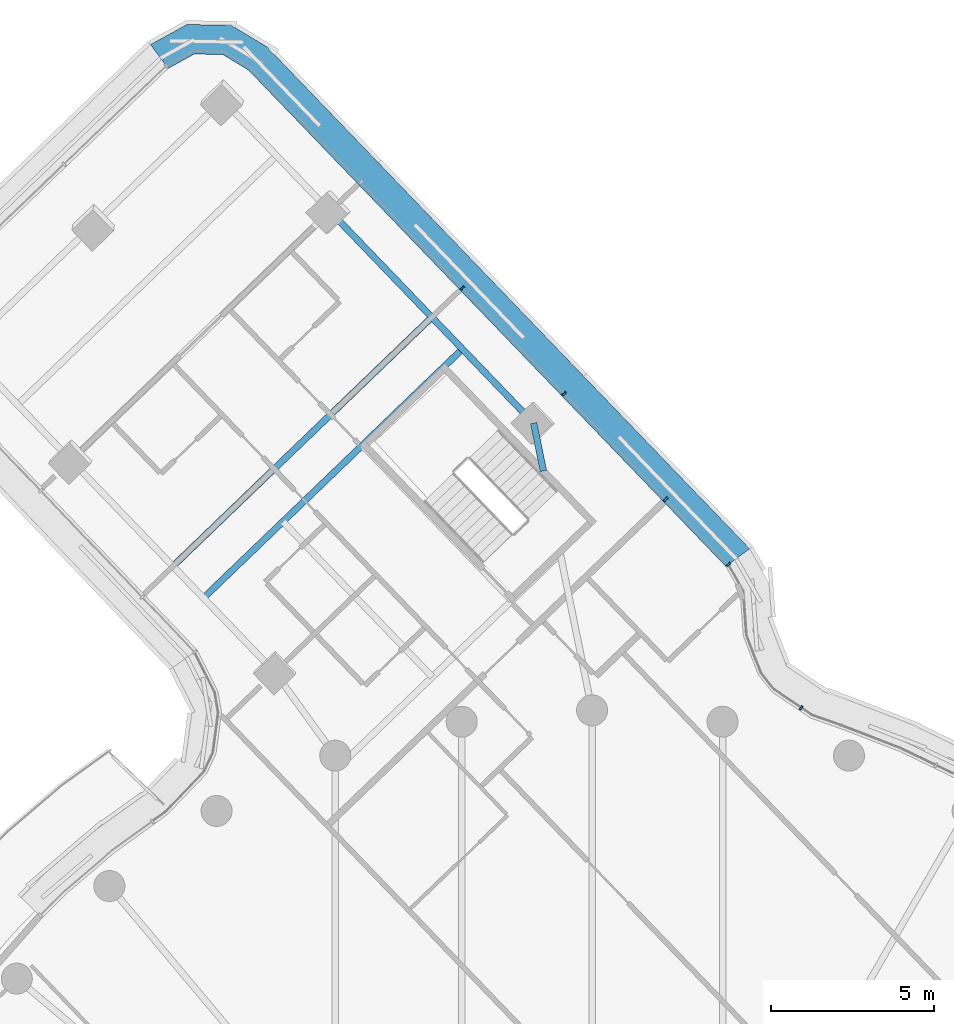
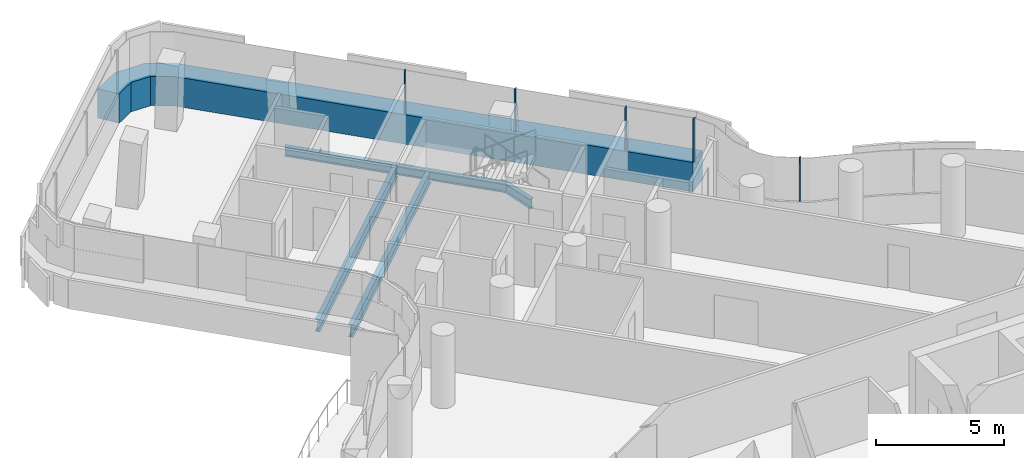
# One storey, part 16 of 34: 6 members, 4 beams, 2 elements without a shape of their own.
"""IFC4 building model written with IfcOpenShell, lengths in metres."""

from ifc_helpers import new_model, si_unit, direction, frame, origin, origin_2d, place, context, subcontext, project, spatial, polyline, rectangle, i_section, outline, extrude, material, layer, layer_set, material_profile, profile_set, type_object, element, aggregate, save


model = new_model("IFC4")

# Units and contexts
model_context = context("Model", 3, precision=1e-05, world=origin(), true_north=direction((0.0, 1.0)))
body_context = subcontext(model_context, "Body", "Model", "MODEL_VIEW")
ifc_project = project(units=[si_unit("LENGTHUNIT", "METRE"), si_unit("AREAUNIT", "SQUARE_METRE"), si_unit("VOLUMEUNIT", "CUBIC_METRE"), si_unit("PLANEANGLEUNIT", "RADIAN"), si_unit("MASSUNIT", "GRAM", prefix="KILO")], contexts=[model_context])

# Site, building, storey
site_placement = place(None, origin())
site = spatial("IfcSite", under=ifc_project, at=site_placement, CompositionType="ELEMENT")
building_placement = place(site_placement, origin())
building = spatial("IfcBuilding", under=site, at=building_placement, Name="Tamarind Cross Interchange Tower", CompositionType="ELEMENT")
storey_placement = place(building_placement, frame((0.0, 0.0, 193.300048828125)))
storey = spatial("IfcBuildingStorey", under=building, at=storey_placement, Name="L48", CompositionType="ELEMENT", Elevation=193.300048828125)

# Beams
ifc_material_1 = material(Name="Steel Q355B", Category="steel")
ifc_material_profile_1 = material_profile(ifc_material_1, i_section(OverallWidth=0.198974609375, OverallDepth=0.446044921875, WebThickness=0.008056640625, FlangeThickness=0.011962890625, FilletRadius=0.012939453125, at=origin_2d()), Name="HN 446x199x8x12")
ifc_profile_set_1 = profile_set([ifc_material_profile_1], Name="Steel Q355B")
beam_type_1 = type_object("IfcBeamType", Name="Composite beam HN 446x199x8x12 Q355B", PredefinedType="BEAM", material=ifc_profile_set_1)
beam_1_placement = place(storey_placement, frame((-8.027587890625, 38.28173828125, -0.363037109375), z_axis=(0.69317810497, -0.720766338553, 0.0), x_axis=(0.720766338553, 0.69317810497, 0.0)))
element("IfcBeam", 1, at=beam_1_placement, inside=storey, type_object=beam_type_1, Name="Beam N-edgeem6", PredefinedType="BEAM", context=body_context, shape_type="SweptSolid", body=[
    extrude(i_section(OverallWidth=0.198974609375, OverallDepth=0.446044921875, WebThickness=0.008056640625, FlangeThickness=0.011962890625, FilletRadius=0.012939453125, at=origin_2d()), origin(), (0.0, 0.0, 1.0), 9.0),
])
beam_2_placement = place(storey_placement, frame((-1.7890625, 31.794921875, -0.363037109375), z_axis=(0.199383629707, -0.979921511247, 0.0), x_axis=(0.979921511247, 0.199383629707, 0.0)))
element("IfcBeam", 2, at=beam_2_placement, inside=storey, type_object=beam_type_1, Name="Beam N-linkemt0", PredefinedType="BEAM", context=body_context, shape_type="SweptSolid", body=[
    extrude(i_section(OverallWidth=0.198974609375, OverallDepth=0.446044921875, WebThickness=0.008056640625, FlangeThickness=0.011962890625, FilletRadius=0.012939453125, at=origin_2d()), origin(), (0.0, 0.0, 1.0), 1.493896484375),
])
ifc_material_profile_2 = material_profile(ifc_material_1, i_section(OverallWidth=0.198974609375, OverallDepth=0.595947265625, WebThickness=0.010009765625, FlangeThickness=0.014892578125, FilletRadius=0.012939453125, at=origin_2d()), Name="HN 596x199x10x15")
ifc_profile_set_2 = profile_set([ifc_material_profile_2], Name="Steel Q355B")
beam_type_2 = type_object("IfcBeamType", Name="Composite beam HN 596x199x10x15 Q355B", PredefinedType="BEAM", material=ifc_profile_set_2)
for number, where, z_axis, x_axis, name in (
    (3, (-3.97265625, 34.065185546875, -0.43798828125), (-0.720777191632, -0.693166819765, 0.0), (0.693166819765, -0.720777191632, 0.0), "Beam N-x334"),
    (4, (-4.908203125, 35.038330078125, -0.43798828125), (-0.720787855555, -0.693155730904, 0.0), (0.693155730904, -0.720787855555, 0.0), "Beam N-x348"),
):
    element("IfcBeam", number, at=place(storey_placement, frame(where, z_axis=z_axis, x_axis=x_axis)), inside=storey, type_object=beam_type_2, Name=name, PredefinedType="BEAM", context=body_context, shape_type="SweptSolid", body=[
        extrude(i_section(OverallWidth=0.198974609375, OverallDepth=0.595947265625, WebThickness=0.010009765625, FlangeThickness=0.014892578125, FilletRadius=0.012939453125, at=origin_2d()), origin(), (0.0, 0.0, 1.0), 11.0),
    ])

# Curtain wall, member
ifc_material_2 = material(Name="Aluminium 6063-T6", Category="aluminium")
ifc_layer = layer(ifc_material_2, 0.139892578125)
ifc_layer_set = layer_set([ifc_layer], Name="Aluminium 6063-T6")
curtain_wall_type = type_object("IfcCurtainWallType", Name="Hotel curtain wall, 4.5 m bays", PredefinedType="NOTDEFINED", material=ifc_layer_set)
curtain_wall_1_placement = place(storey_placement, origin())
curtain_wall_1 = element("IfcCurtainWall", 5, at=curtain_wall_1_placement, inside=storey, type_object=curtain_wall_type, Name="CWS-L48-07", PredefinedType="NOTDEFINED")
ifc_material_3 = material(Name="Aluminium and insulated spandrel panel", Category="aluminium")
member_type_1 = type_object("IfcMemberType", Name="Floor-edge blade transom", PredefinedType="USERDEFINED", material=ifc_material_3)
member_1_placement = place(storey_placement, origin())
member_1 = element("IfcMember", 6, at=member_1_placement, type_object=member_type_1, Name="CWT-L48-07", ObjectType="TRANSOM", PredefinedType="USERDEFINED", context=body_context, shape_type="SweptSolid", body=[
    extrude(outline(polyline([(4.095947265625, 27.406494140625), (-10.524658203125, 42.609375), (-11.308349609375, 43.08251953125), (-12.1826171875, 43.099609375), (-12.984130859375, 42.657470703125), (-13.522705078125, 43.388427734375), (-12.40625, 44.004150390625), (-11.049560546875, 43.977783203125), (-9.9580078125, 43.31884765625), (4.823486328125, 27.948486328125), (4.095947265625, 27.406494140625)])), origin(), (0.0, 0.0, 1.0), 1.39990234375),
])

curtain_wall_2_placement = place(storey_placement, origin())
curtain_wall_2 = element("IfcCurtainWall", 7, at=curtain_wall_2_placement, inside=storey, type_object=curtain_wall_type, Name="CWS-L48-06", PredefinedType="NOTDEFINED")
ifc_material_profile_3 = material_profile(ifc_material_2, rectangle(XDim=0.06005859375, YDim=0.139892578125, at=origin_2d()), Name="Mullion CW2")
ifc_profile_set_3 = profile_set([ifc_material_profile_3], Name="Aluminium 6063-T6")
member_type_2 = type_object("IfcMemberType", Name="Mullion CW2", PredefinedType="MULLION", material=ifc_profile_set_3)
member_2_placement = place(storey_placement, frame((6.40380859375, 23.0791015625, 1.39990234375), z_axis=(0.0, 0.0, 1.0), x_axis=(-0.829016203215, 0.559224583515, 0.0)))
member_2 = element("IfcMember", 8, at=member_2_placement, type_object=member_type_2, Name="CWM-L48-06-13", PredefinedType="MULLION", context=body_context, shape_type="SweptSolid", body=[
    extrude(rectangle(XDim=0.06005859375, YDim=0.139892578125, at=origin_2d()), origin(), (0.0, 0.0, 1.0), 2.06005859375),
])
aggregate(curtain_wall_2, [member_2])

# Member
member_3_placement = place(storey_placement, frame((4.177001953125, 27.466796875, 1.39990234375), z_axis=(0.0, 0.0, 1.0), x_axis=(-0.597408297588, 0.801937233188, 0.0)))
member_3 = element("IfcMember", 9, at=member_3_placement, type_object=member_type_2, Name="CWM-L48-07-00", PredefinedType="MULLION", context=body_context, shape_type="SweptSolid", body=[
    extrude(rectangle(XDim=0.06005859375, YDim=0.139892578125, at=origin_2d()), origin(), (0.0, 0.0, 1.0), 2.06005859375),
])

member_4_placement = place(storey_placement, frame((2.25439453125, 29.4658203125, 1.39990234375), z_axis=(0.0, 0.0, 1.0), x_axis=(-0.69317039432, 0.720773753988, 0.0)))
member_4 = element("IfcMember", 10, at=member_4_placement, type_object=member_type_2, Name="CWM-L48-07-01", PredefinedType="MULLION", context=body_context, shape_type="SweptSolid", body=[
    extrude(rectangle(XDim=0.06005859375, YDim=0.139892578125, at=origin_2d()), origin(), (0.0, 0.0, 1.0), 2.06005859375),
])

member_5_placement = place(storey_placement, frame((-0.857177734375, 32.701416015625, 1.39990234375), z_axis=(0.0, 0.0, 1.0), x_axis=(-0.69317039432, 0.720773753988, 0.0)))
member_5 = element("IfcMember", 11, at=member_5_placement, type_object=member_type_2, Name="CWM-L48-07-02", PredefinedType="MULLION", context=body_context, shape_type="SweptSolid", body=[
    extrude(rectangle(XDim=0.06005859375, YDim=0.139892578125, at=origin_2d()), origin(), (0.0, 0.0, 1.0), 2.06005859375),
])

member_6_placement = place(storey_placement, frame((-3.968994140625, 35.93701171875, 1.39990234375), z_axis=(0.0, 0.0, 1.0), x_axis=(-0.69317039432, 0.720773753988, 0.0)))
member_6 = element("IfcMember", 12, at=member_6_placement, type_object=member_type_2, Name="CWM-L48-07-03", PredefinedType="MULLION", context=body_context, shape_type="SweptSolid", body=[
    extrude(rectangle(XDim=0.06005859375, YDim=0.139892578125, at=origin_2d()), origin(), (0.0, 0.0, 1.0), 2.06005859375),
])

aggregate(curtain_wall_1, [member_3, member_4, member_5, member_6, member_1])

save(model, "model.ifc")
